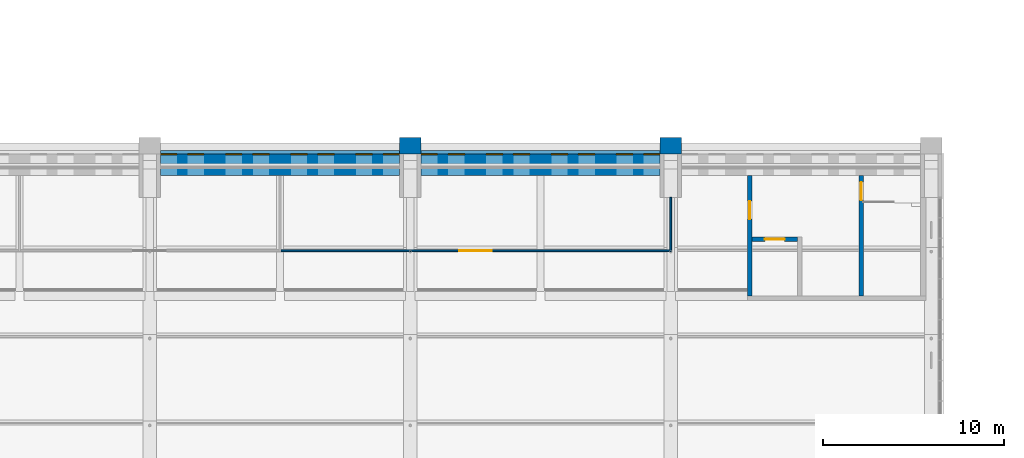
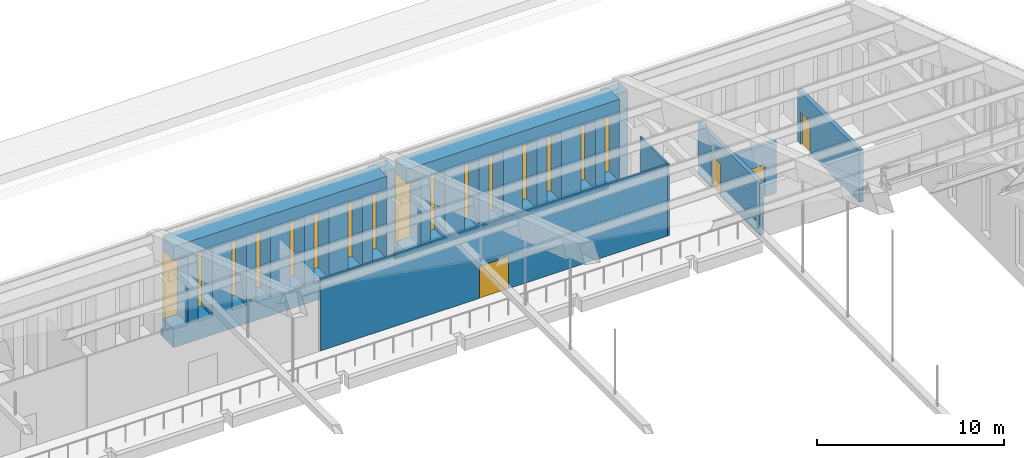
# One storey, part 134 of 149: 16 windows, 11 walls, 4 doors, 20 openings.
"""IFC4 building model written with IfcOpenShell, lengths in metres."""

from ifc_helpers import new_model, si_unit, direction, frame, frame_2d, origin, place, context, subcontext, project, spatial, rectangle, extrude, material, layer, layer_set, type_object, element, fill, save


model = new_model("IFC4")

# Units and contexts
model_context = context("Model", 3, precision=1e-05, world=origin(), true_north=direction((0.0, 1.0)))
body_context = subcontext(model_context, "Body", "Model", "MODEL_VIEW")
ifc_project = project(units=[si_unit("LENGTHUNIT", "METRE"), si_unit("AREAUNIT", "SQUARE_METRE"), si_unit("VOLUMEUNIT", "CUBIC_METRE"), si_unit("PLANEANGLEUNIT", "RADIAN"), si_unit("MASSUNIT", "GRAM", prefix="KILO")], contexts=[model_context])

# Site, building, storey
site_placement = place(None, origin())
site = spatial("IfcSite", under=ifc_project, at=site_placement, CompositionType="ELEMENT")
building_placement = place(site_placement, origin())
building = spatial("IfcBuilding", under=site, at=building_placement, Name="Alderwick Market Hall", CompositionType="ELEMENT")
storey_placement = place(building_placement, frame((0.0, 0.0, 9.60009765625)))
storey = spatial("IfcBuildingStorey", under=building, at=storey_placement, Name="L01", CompositionType="ELEMENT", Elevation=9.60009765625)

# Walls
ifc_material_1 = material(Name="Face brick masonry, ASTM C216 grade SW (f'm 17 MPa)", Category="masonry")
ifc_layer_1 = layer(ifc_material_1, 0.89990234375)
ifc_layer_set_1 = layer_set([ifc_layer_1], Name="Face brick masonry, ASTM C216 grade SW (f'm 17 MPa)")
wall_type_1 = type_object("IfcWallType", Name="H Buttress pier 900", PredefinedType="SOLIDWALL", material=ifc_layer_set_1)
for number, where, z_axis, x_axis, name in (
    (1, (121.800048828125, 109.050048828125, 0.0), (0.0, 0.0, 1.0), (1.0, 0.0, 0.0), "Buttress pier N6"),
    (2, (136.199951171875, 109.050048828125, 0.0), (0.0, 0.0, 1.0), (1.0, 0.0, 0.0), "Buttress pier N7"),
):
    element("IfcWall", number, at=place(storey_placement, frame(where, z_axis=z_axis, x_axis=x_axis)), inside=storey, type_object=wall_type_1, Name=name, PredefinedType="SOLIDWALL", context=body_context, shape_type="SweptSolid", body=[
        extrude(rectangle(XDim=1.199951171875, YDim=0.89990234375, at=frame_2d((0.60009765625, 0.0))), origin(), (0.0, 0.0, 1.0), 6.0),
    ])

# Wall, opening, door
ifc_material_2 = material(Name="Concrete 5000 psi (f'c 35 MPa)", Category="concrete")
ifc_layer_2 = layer(ifc_material_2, 0.25)
ifc_layer_set_2 = layer_set([ifc_layer_2], Name="Concrete 5000 psi (f'c 35 MPa)")
wall_type_2 = type_object("IfcWallType", Name="H Core wall 250", PredefinedType="SOLIDWALL", material=ifc_layer_set_2)
wall_1_placement = place(storey_placement, frame((141.175048828125, 100.760009765625, 0.0), z_axis=(0.0, 0.0, 1.0), x_axis=(0.0, 1.0, 0.0)))
wall_1 = element("IfcWall", 3, at=wall_1_placement, inside=storey, type_object=wall_type_2, Name="Core wall H-NE", PredefinedType="SOLIDWALL", context=body_context, shape_type="SweptSolid", body=[
    extrude(rectangle(XDim=6.639892578125, YDim=0.25, at=frame_2d((3.31982421875, 0.0))), origin(), (0.0, 0.0, 1.0), 3.39990234375),
])
opening_1_placement = place(wall_1_placement, frame((4.239990234375, 0.0, 0.0)))
opening_1 = element("IfcOpeningElement", 4, at=opening_1_placement, cuts=wall_1, Name="Opening H-D053", PredefinedType="OPENING", context=body_context, shape_type="SweptSolid", body=[
    extrude(rectangle(XDim=1.0, YDim=2.10009765625, at=frame_2d((0.5, 1.050048828125))), frame((0.0, 0.135009765625, 0.0), z_axis=(0.0, -1.0, 0.0), x_axis=(1.0, 0.0, 0.0)), (0.0, 0.0, 1.0), 0.27001953125),
])
ifc_material_3 = material(Name="Steel, fire-rated", Category="steel")
door_type_1 = type_object("IfcDoorType", Name="H Stair door FD90 1000x2100", OperationType="SINGLE_SWING_LEFT", PredefinedType="DOOR", material=ifc_material_3)
door_1_placement = place(opening_1_placement, origin())
door_1 = element("IfcDoor", 5, at=door_1_placement, inside=storey, type_object=door_type_1, Name="Door H-D053", OperationType="SINGLE_SWING_LEFT", OverallHeight=2.10009765625, OverallWidth=1.0, PredefinedType="DOOR", context=body_context, shape_type="SweptSolid", body=[
    extrude(rectangle(XDim=1.0, YDim=2.10009765625, at=frame_2d((0.5, 1.050048828125))), frame((0.0, 0.02490234375, 0.0), z_axis=(0.0, -1.0, 0.0), x_axis=(1.0, 0.0, 0.0)), (0.0, 0.0, 1.0), 0.050048828125),
])
fill(opening_1, door_1)

wall_2_placement = place(storey_placement, frame((147.324951171875, 100.760009765625, 0.0), z_axis=(0.0, 0.0, 1.0), x_axis=(0.0, 1.0, 0.0)))
wall_2 = element("IfcWall", 6, at=wall_2_placement, inside=storey, type_object=wall_type_2, Name="Core wall H-NE", PredefinedType="SOLIDWALL", context=body_context, shape_type="SweptSolid", body=[
    extrude(rectangle(XDim=6.639892578125, YDim=0.25, at=frame_2d((3.31982421875, 0.0))), origin(), (0.0, 0.0, 1.0), 3.39990234375),
])
opening_2_placement = place(wall_2_placement, frame((5.2900390625, 0.0, 0.0)))
opening_2 = element("IfcOpeningElement", 7, at=opening_2_placement, cuts=wall_2, Name="Opening H-D052", PredefinedType="OPENING", context=body_context, shape_type="SweptSolid", body=[
    extrude(rectangle(XDim=1.0, YDim=2.10009765625, at=frame_2d((0.5, 1.050048828125))), frame((0.0, 0.135009765625, 0.0), z_axis=(0.0, -1.0, 0.0), x_axis=(1.0, 0.0, 0.0)), (0.0, 0.0, 1.0), 0.27001953125),
])
door_2_placement = place(opening_2_placement, origin())
door_2 = element("IfcDoor", 8, at=door_2_placement, inside=storey, type_object=door_type_1, Name="Door H-D052", OperationType="SINGLE_SWING_LEFT", OverallHeight=2.10009765625, OverallWidth=1.0, PredefinedType="DOOR", context=body_context, shape_type="SweptSolid", body=[
    extrude(rectangle(XDim=1.0, YDim=2.10009765625, at=frame_2d((0.5, 1.050048828125))), frame((0.0, 0.02490234375, 0.0), z_axis=(0.0, -1.0, 0.0), x_axis=(1.0, 0.0, 0.0)), (0.0, 0.0, 1.0), 0.050048828125),
])
fill(opening_2, door_2)

wall_3_placement = place(storey_placement, frame((141.300048828125, 103.885009765625, 0.0), z_axis=(0.0, 0.0, 1.0), x_axis=(1.0, 0.0, 0.0)))
wall_3 = element("IfcWall", 9, at=wall_3_placement, inside=storey, type_object=wall_type_2, Name="Core wall H-NE", PredefinedType="SOLIDWALL", context=body_context, shape_type="SweptSolid", body=[
    extrude(rectangle(XDim=2.5, YDim=0.25, at=frame_2d((1.25, 0.0))), origin(), (0.0, 0.0, 1.0), 3.39990234375),
])
opening_3_placement = place(wall_3_placement, frame((0.699951171875, 0.0, 0.0)))
opening_3 = element("IfcOpeningElement", 10, at=opening_3_placement, cuts=wall_3, Name="Opening H-LD06", PredefinedType="OPENING", context=body_context, shape_type="SweptSolid", body=[
    extrude(rectangle(XDim=1.10009765625, YDim=2.10009765625, at=frame_2d((0.550048828125, 1.050048828125))), frame((0.0, 0.135009765625, 0.0), z_axis=(0.0, -1.0, 0.0), x_axis=(1.0, 0.0, 0.0)), (0.0, 0.0, 1.0), 0.27001953125),
])
ifc_material_4 = material(Name="Stainless steel", Category="steel")
door_type_2 = type_object("IfcDoorType", Name="H Lift landing door 1100x2100", OperationType="SLIDING_TO_LEFT", PredefinedType="DOOR", material=ifc_material_4)
door_3_placement = place(opening_3_placement, origin())
door_3 = element("IfcDoor", 11, at=door_3_placement, inside=storey, type_object=door_type_2, Name="Landing door H-LD06", OperationType="SLIDING_TO_LEFT", OverallHeight=2.10009765625, OverallWidth=1.10009765625, PredefinedType="DOOR", context=body_context, shape_type="SweptSolid", body=[
    extrude(rectangle(XDim=1.10009765625, YDim=2.10009765625, at=frame_2d((0.550048828125, 1.050048828125))), frame((0.0, 0.02490234375, 0.0), z_axis=(0.0, -1.0, 0.0), x_axis=(1.0, 0.0, 0.0)), (0.0, 0.0, 1.0), 0.050048828125),
])
fill(opening_3, door_3)

# Wall, openings, windows
ifc_layer_3 = layer(ifc_material_2, 1.199951171875)
ifc_layer_set_3 = layer_set([ifc_layer_3], Name="Concrete 5000 psi (f'c 35 MPa)")
wall_type_3 = type_object("IfcWallType", Name="H Long wall 1200", PredefinedType="SOLIDWALL", material=ifc_layer_set_3)
wall_4_placement = place(storey_placement, frame((108.60009765625, 108.0, 0.0), z_axis=(0.0, 0.0, 1.0), x_axis=(1.0, 0.0, 0.0)))
wall_4 = element("IfcWall", 12, at=wall_4_placement, inside=storey, type_object=wall_type_3, Name="Long wall N L01 5", PredefinedType="SOLIDWALL", context=body_context, shape_type="SweptSolid", body=[
    extrude(rectangle(XDim=13.199951171875, YDim=1.199951171875, at=frame_2d((6.60009765625, 0.0))), origin(), (0.0, 0.0, 1.0), 6.599853515625),
])
opening_4_placement = place(wall_4_placement, frame((0.0, 0.0, 1.199951171875)))
opening_4 = element("IfcOpeningElement", 13, at=opening_4_placement, cuts=wall_4, Name="Opening H-W193", PredefinedType="OPENING", context=body_context, shape_type="SweptSolid", body=[
    extrude(rectangle(XDim=0.89990234375, YDim=4.5, at=frame_2d((0.449951171875, 2.25))), frame((0.0, 0.60986328125, 0.0), z_axis=(0.0, -1.0, 0.0), x_axis=(1.0, 0.0, 0.0)), (0.0, 0.0, 1.0), 1.219970703125),
])
opening_5_placement = place(wall_4_placement, frame((1.5, 0.0, 1.199951171875)))
opening_5 = element("IfcOpeningElement", 14, at=opening_5_placement, cuts=wall_4, Name="Opening H-W194", PredefinedType="OPENING", context=body_context, shape_type="SweptSolid", body=[
    extrude(rectangle(XDim=0.89990234375, YDim=4.5, at=frame_2d((0.449951171875, 2.25))), frame((0.0, 0.60986328125, 0.0), z_axis=(0.0, -1.0, 0.0), x_axis=(1.0, 0.0, 0.0)), (0.0, 0.0, 1.0), 1.219970703125),
])
opening_6_placement = place(wall_4_placement, frame((3.60009765625, 0.0, 1.199951171875)))
opening_6 = element("IfcOpeningElement", 15, at=opening_6_placement, cuts=wall_4, Name="Opening H-W195", PredefinedType="OPENING", context=body_context, shape_type="SweptSolid", body=[
    extrude(rectangle(XDim=0.89990234375, YDim=4.5, at=frame_2d((0.449951171875, 2.25))), frame((0.0, 0.60986328125, 0.0), z_axis=(0.0, -1.0, 0.0), x_axis=(1.0, 0.0, 0.0)), (0.0, 0.0, 1.0), 1.219970703125),
])
opening_7_placement = place(wall_4_placement, frame((5.10009765625, 0.0, 1.199951171875)))
opening_7 = element("IfcOpeningElement", 16, at=opening_7_placement, cuts=wall_4, Name="Opening H-W196", PredefinedType="OPENING", context=body_context, shape_type="SweptSolid", body=[
    extrude(rectangle(XDim=0.89990234375, YDim=4.5, at=frame_2d((0.449951171875, 2.25))), frame((0.0, 0.60986328125, 0.0), z_axis=(0.0, -1.0, 0.0), x_axis=(1.0, 0.0, 0.0)), (0.0, 0.0, 1.0), 1.219970703125),
])
opening_8_placement = place(wall_4_placement, frame((7.199951171875, 0.0, 1.199951171875)))
opening_8 = element("IfcOpeningElement", 17, at=opening_8_placement, cuts=wall_4, Name="Opening H-W197", PredefinedType="OPENING", context=body_context, shape_type="SweptSolid", body=[
    extrude(rectangle(XDim=0.89990234375, YDim=4.5, at=frame_2d((0.449951171875, 2.25))), frame((0.0, 0.60986328125, 0.0), z_axis=(0.0, -1.0, 0.0), x_axis=(1.0, 0.0, 0.0)), (0.0, 0.0, 1.0), 1.219970703125),
])
opening_9_placement = place(wall_4_placement, frame((8.699951171875, 0.0, 1.199951171875)))
opening_9 = element("IfcOpeningElement", 18, at=opening_9_placement, cuts=wall_4, Name="Opening H-W198", PredefinedType="OPENING", context=body_context, shape_type="SweptSolid", body=[
    extrude(rectangle(XDim=0.89990234375, YDim=4.5, at=frame_2d((0.449951171875, 2.25))), frame((0.0, 0.60986328125, 0.0), z_axis=(0.0, -1.0, 0.0), x_axis=(1.0, 0.0, 0.0)), (0.0, 0.0, 1.0), 1.219970703125),
])
opening_10_placement = place(wall_4_placement, frame((10.800048828125, 0.0, 1.199951171875)))
opening_10 = element("IfcOpeningElement", 19, at=opening_10_placement, cuts=wall_4, Name="Opening H-W199", PredefinedType="OPENING", context=body_context, shape_type="SweptSolid", body=[
    extrude(rectangle(XDim=0.89990234375, YDim=4.5, at=frame_2d((0.449951171875, 2.25))), frame((0.0, 0.60986328125, 0.0), z_axis=(0.0, -1.0, 0.0), x_axis=(1.0, 0.0, 0.0)), (0.0, 0.0, 1.0), 1.219970703125),
])
opening_11_placement = place(wall_4_placement, frame((12.300048828125, 0.0, 1.199951171875)))
opening_11 = element("IfcOpeningElement", 20, at=opening_11_placement, cuts=wall_4, Name="Opening H-W200", PredefinedType="OPENING", context=body_context, shape_type="SweptSolid", body=[
    extrude(rectangle(XDim=0.89990234375, YDim=4.5, at=frame_2d((0.449951171875, 2.25))), frame((0.0, 0.60986328125, 0.0), z_axis=(0.0, -1.0, 0.0), x_axis=(1.0, 0.0, 0.0)), (0.0, 0.0, 1.0), 1.219970703125),
])
ifc_material_5 = material(Name="Aluminium frame with insulated glass", Category="aluminium")
window_type = type_object("IfcWindowType", Name="H Window 900x4500", PartitioningType="SINGLE_PANEL", PredefinedType="WINDOW", material=ifc_material_5)
window_1_placement = place(opening_4_placement, origin())
window_1 = element("IfcWindow", 21, at=window_1_placement, inside=storey, type_object=window_type, Name="Window H-W193", OverallHeight=4.5, OverallWidth=0.89990234375, PartitioningType="SINGLE_PANEL", PredefinedType="WINDOW", context=body_context, shape_type="SweptSolid", body=[
    extrude(rectangle(XDim=0.89990234375, YDim=4.5, at=frame_2d((0.449951171875, 2.25))), frame((0.0, 0.610107421875, 0.0), z_axis=(0.0, -1.0, 0.0), x_axis=(1.0, 0.0, 0.0)), (0.0, 0.0, 1.0), 0.06005859375),
])
fill(opening_4, window_1)
window_2_placement = place(opening_5_placement, origin())
window_2 = element("IfcWindow", 22, at=window_2_placement, inside=storey, type_object=window_type, Name="Window H-W194", OverallHeight=4.5, OverallWidth=0.89990234375, PartitioningType="SINGLE_PANEL", PredefinedType="WINDOW", context=body_context, shape_type="SweptSolid", body=[
    extrude(rectangle(XDim=0.89990234375, YDim=4.5, at=frame_2d((0.449951171875, 2.25))), frame((0.0, 0.610107421875, 0.0), z_axis=(0.0, -1.0, 0.0), x_axis=(1.0, 0.0, 0.0)), (0.0, 0.0, 1.0), 0.06005859375),
])
fill(opening_5, window_2)
window_3_placement = place(opening_6_placement, origin())
window_3 = element("IfcWindow", 23, at=window_3_placement, inside=storey, type_object=window_type, Name="Window H-W195", OverallHeight=4.5, OverallWidth=0.89990234375, PartitioningType="SINGLE_PANEL", PredefinedType="WINDOW", context=body_context, shape_type="SweptSolid", body=[
    extrude(rectangle(XDim=0.89990234375, YDim=4.5, at=frame_2d((0.449951171875, 2.25))), frame((0.0, 0.610107421875, 0.0), z_axis=(0.0, -1.0, 0.0), x_axis=(1.0, 0.0, 0.0)), (0.0, 0.0, 1.0), 0.06005859375),
])
fill(opening_6, window_3)
window_4_placement = place(opening_7_placement, origin())
window_4 = element("IfcWindow", 24, at=window_4_placement, inside=storey, type_object=window_type, Name="Window H-W196", OverallHeight=4.5, OverallWidth=0.89990234375, PartitioningType="SINGLE_PANEL", PredefinedType="WINDOW", context=body_context, shape_type="SweptSolid", body=[
    extrude(rectangle(XDim=0.89990234375, YDim=4.5, at=frame_2d((0.449951171875, 2.25))), frame((0.0, 0.610107421875, 0.0), z_axis=(0.0, -1.0, 0.0), x_axis=(1.0, 0.0, 0.0)), (0.0, 0.0, 1.0), 0.06005859375),
])
fill(opening_7, window_4)
window_5_placement = place(opening_8_placement, origin())
window_5 = element("IfcWindow", 25, at=window_5_placement, inside=storey, type_object=window_type, Name="Window H-W197", OverallHeight=4.5, OverallWidth=0.89990234375, PartitioningType="SINGLE_PANEL", PredefinedType="WINDOW", context=body_context, shape_type="SweptSolid", body=[
    extrude(rectangle(XDim=0.89990234375, YDim=4.5, at=frame_2d((0.449951171875, 2.25))), frame((0.0, 0.610107421875, 0.0), z_axis=(0.0, -1.0, 0.0), x_axis=(1.0, 0.0, 0.0)), (0.0, 0.0, 1.0), 0.06005859375),
])
fill(opening_8, window_5)
window_6_placement = place(opening_9_placement, origin())
window_6 = element("IfcWindow", 26, at=window_6_placement, inside=storey, type_object=window_type, Name="Window H-W198", OverallHeight=4.5, OverallWidth=0.89990234375, PartitioningType="SINGLE_PANEL", PredefinedType="WINDOW", context=body_context, shape_type="SweptSolid", body=[
    extrude(rectangle(XDim=0.89990234375, YDim=4.5, at=frame_2d((0.449951171875, 2.25))), frame((0.0, 0.610107421875, 0.0), z_axis=(0.0, -1.0, 0.0), x_axis=(1.0, 0.0, 0.0)), (0.0, 0.0, 1.0), 0.06005859375),
])
fill(opening_9, window_6)
window_7_placement = place(opening_10_placement, origin())
window_7 = element("IfcWindow", 27, at=window_7_placement, inside=storey, type_object=window_type, Name="Window H-W199", OverallHeight=4.5, OverallWidth=0.89990234375, PartitioningType="SINGLE_PANEL", PredefinedType="WINDOW", context=body_context, shape_type="SweptSolid", body=[
    extrude(rectangle(XDim=0.89990234375, YDim=4.5, at=frame_2d((0.449951171875, 2.25))), frame((0.0, 0.610107421875, 0.0), z_axis=(0.0, -1.0, 0.0), x_axis=(1.0, 0.0, 0.0)), (0.0, 0.0, 1.0), 0.06005859375),
])
fill(opening_10, window_7)
window_8_placement = place(opening_11_placement, origin())
window_8 = element("IfcWindow", 28, at=window_8_placement, inside=storey, type_object=window_type, Name="Window H-W200", OverallHeight=4.5, OverallWidth=0.89990234375, PartitioningType="SINGLE_PANEL", PredefinedType="WINDOW", context=body_context, shape_type="SweptSolid", body=[
    extrude(rectangle(XDim=0.89990234375, YDim=4.5, at=frame_2d((0.449951171875, 2.25))), frame((0.0, 0.610107421875, 0.0), z_axis=(0.0, -1.0, 0.0), x_axis=(1.0, 0.0, 0.0)), (0.0, 0.0, 1.0), 0.06005859375),
])
fill(opening_11, window_8)

wall_5_placement = place(storey_placement, frame((123.0, 108.0, 0.0), z_axis=(0.0, 0.0, 1.0), x_axis=(1.0, 0.0, 0.0)))
wall_5 = element("IfcWall", 29, at=wall_5_placement, inside=storey, type_object=wall_type_3, Name="Long wall N L01 6", PredefinedType="SOLIDWALL", context=body_context, shape_type="SweptSolid", body=[
    extrude(rectangle(XDim=13.199951171875, YDim=1.199951171875, at=frame_2d((6.60009765625, 0.0))), origin(), (0.0, 0.0, 1.0), 6.599853515625),
])
opening_12_placement = place(wall_5_placement, frame((0.0, 0.0, 1.199951171875)))
opening_12 = element("IfcOpeningElement", 30, at=opening_12_placement, cuts=wall_5, Name="Opening H-W201", PredefinedType="OPENING", context=body_context, shape_type="SweptSolid", body=[
    extrude(rectangle(XDim=0.89990234375, YDim=4.5, at=frame_2d((0.449951171875, 2.25))), frame((0.0, 0.60986328125, 0.0), z_axis=(0.0, -1.0, 0.0), x_axis=(1.0, 0.0, 0.0)), (0.0, 0.0, 1.0), 1.219970703125),
])
opening_13_placement = place(wall_5_placement, frame((1.5, 0.0, 1.199951171875)))
opening_13 = element("IfcOpeningElement", 31, at=opening_13_placement, cuts=wall_5, Name="Opening H-W202", PredefinedType="OPENING", context=body_context, shape_type="SweptSolid", body=[
    extrude(rectangle(XDim=0.89990234375, YDim=4.5, at=frame_2d((0.449951171875, 2.25))), frame((0.0, 0.60986328125, 0.0), z_axis=(0.0, -1.0, 0.0), x_axis=(1.0, 0.0, 0.0)), (0.0, 0.0, 1.0), 1.219970703125),
])
opening_14_placement = place(wall_5_placement, frame((3.60009765625, 0.0, 1.199951171875)))
opening_14 = element("IfcOpeningElement", 32, at=opening_14_placement, cuts=wall_5, Name="Opening H-W203", PredefinedType="OPENING", context=body_context, shape_type="SweptSolid", body=[
    extrude(rectangle(XDim=0.89990234375, YDim=4.5, at=frame_2d((0.449951171875, 2.25))), frame((0.0, 0.60986328125, 0.0), z_axis=(0.0, -1.0, 0.0), x_axis=(1.0, 0.0, 0.0)), (0.0, 0.0, 1.0), 1.219970703125),
])
opening_15_placement = place(wall_5_placement, frame((5.10009765625, 0.0, 1.199951171875)))
opening_15 = element("IfcOpeningElement", 33, at=opening_15_placement, cuts=wall_5, Name="Opening H-W204", PredefinedType="OPENING", context=body_context, shape_type="SweptSolid", body=[
    extrude(rectangle(XDim=0.89990234375, YDim=4.5, at=frame_2d((0.449951171875, 2.25))), frame((0.0, 0.60986328125, 0.0), z_axis=(0.0, -1.0, 0.0), x_axis=(1.0, 0.0, 0.0)), (0.0, 0.0, 1.0), 1.219970703125),
])
opening_16_placement = place(wall_5_placement, frame((7.199951171875, 0.0, 1.199951171875)))
opening_16 = element("IfcOpeningElement", 34, at=opening_16_placement, cuts=wall_5, Name="Opening H-W205", PredefinedType="OPENING", context=body_context, shape_type="SweptSolid", body=[
    extrude(rectangle(XDim=0.89990234375, YDim=4.5, at=frame_2d((0.449951171875, 2.25))), frame((0.0, 0.60986328125, 0.0), z_axis=(0.0, -1.0, 0.0), x_axis=(1.0, 0.0, 0.0)), (0.0, 0.0, 1.0), 1.219970703125),
])
opening_17_placement = place(wall_5_placement, frame((8.699951171875, 0.0, 1.199951171875)))
opening_17 = element("IfcOpeningElement", 35, at=opening_17_placement, cuts=wall_5, Name="Opening H-W206", PredefinedType="OPENING", context=body_context, shape_type="SweptSolid", body=[
    extrude(rectangle(XDim=0.89990234375, YDim=4.5, at=frame_2d((0.449951171875, 2.25))), frame((0.0, 0.60986328125, 0.0), z_axis=(0.0, -1.0, 0.0), x_axis=(1.0, 0.0, 0.0)), (0.0, 0.0, 1.0), 1.219970703125),
])
opening_18_placement = place(wall_5_placement, frame((10.800048828125, 0.0, 1.199951171875)))
opening_18 = element("IfcOpeningElement", 36, at=opening_18_placement, cuts=wall_5, Name="Opening H-W207", PredefinedType="OPENING", context=body_context, shape_type="SweptSolid", body=[
    extrude(rectangle(XDim=0.89990234375, YDim=4.5, at=frame_2d((0.449951171875, 2.25))), frame((0.0, 0.60986328125, 0.0), z_axis=(0.0, -1.0, 0.0), x_axis=(1.0, 0.0, 0.0)), (0.0, 0.0, 1.0), 1.219970703125),
])
opening_19_placement = place(wall_5_placement, frame((12.300048828125, 0.0, 1.199951171875)))
opening_19 = element("IfcOpeningElement", 37, at=opening_19_placement, cuts=wall_5, Name="Opening H-W208", PredefinedType="OPENING", context=body_context, shape_type="SweptSolid", body=[
    extrude(rectangle(XDim=0.89990234375, YDim=4.5, at=frame_2d((0.449951171875, 2.25))), frame((0.0, 0.60986328125, 0.0), z_axis=(0.0, -1.0, 0.0), x_axis=(1.0, 0.0, 0.0)), (0.0, 0.0, 1.0), 1.219970703125),
])
window_9_placement = place(opening_12_placement, origin())
window_9 = element("IfcWindow", 38, at=window_9_placement, inside=storey, type_object=window_type, Name="Window H-W201", OverallHeight=4.5, OverallWidth=0.89990234375, PartitioningType="SINGLE_PANEL", PredefinedType="WINDOW", context=body_context, shape_type="SweptSolid", body=[
    extrude(rectangle(XDim=0.89990234375, YDim=4.5, at=frame_2d((0.449951171875, 2.25))), frame((0.0, 0.610107421875, 0.0), z_axis=(0.0, -1.0, 0.0), x_axis=(1.0, 0.0, 0.0)), (0.0, 0.0, 1.0), 0.06005859375),
])
fill(opening_12, window_9)
window_10_placement = place(opening_13_placement, origin())
window_10 = element("IfcWindow", 39, at=window_10_placement, inside=storey, type_object=window_type, Name="Window H-W202", OverallHeight=4.5, OverallWidth=0.89990234375, PartitioningType="SINGLE_PANEL", PredefinedType="WINDOW", context=body_context, shape_type="SweptSolid", body=[
    extrude(rectangle(XDim=0.89990234375, YDim=4.5, at=frame_2d((0.449951171875, 2.25))), frame((0.0, 0.610107421875, 0.0), z_axis=(0.0, -1.0, 0.0), x_axis=(1.0, 0.0, 0.0)), (0.0, 0.0, 1.0), 0.06005859375),
])
fill(opening_13, window_10)
window_11_placement = place(opening_14_placement, origin())
window_11 = element("IfcWindow", 40, at=window_11_placement, inside=storey, type_object=window_type, Name="Window H-W203", OverallHeight=4.5, OverallWidth=0.89990234375, PartitioningType="SINGLE_PANEL", PredefinedType="WINDOW", context=body_context, shape_type="SweptSolid", body=[
    extrude(rectangle(XDim=0.89990234375, YDim=4.5, at=frame_2d((0.449951171875, 2.25))), frame((0.0, 0.610107421875, 0.0), z_axis=(0.0, -1.0, 0.0), x_axis=(1.0, 0.0, 0.0)), (0.0, 0.0, 1.0), 0.06005859375),
])
fill(opening_14, window_11)
window_12_placement = place(opening_15_placement, origin())
window_12 = element("IfcWindow", 41, at=window_12_placement, inside=storey, type_object=window_type, Name="Window H-W204", OverallHeight=4.5, OverallWidth=0.89990234375, PartitioningType="SINGLE_PANEL", PredefinedType="WINDOW", context=body_context, shape_type="SweptSolid", body=[
    extrude(rectangle(XDim=0.89990234375, YDim=4.5, at=frame_2d((0.449951171875, 2.25))), frame((0.0, 0.610107421875, 0.0), z_axis=(0.0, -1.0, 0.0), x_axis=(1.0, 0.0, 0.0)), (0.0, 0.0, 1.0), 0.06005859375),
])
fill(opening_15, window_12)
window_13_placement = place(opening_16_placement, origin())
window_13 = element("IfcWindow", 42, at=window_13_placement, inside=storey, type_object=window_type, Name="Window H-W205", OverallHeight=4.5, OverallWidth=0.89990234375, PartitioningType="SINGLE_PANEL", PredefinedType="WINDOW", context=body_context, shape_type="SweptSolid", body=[
    extrude(rectangle(XDim=0.89990234375, YDim=4.5, at=frame_2d((0.449951171875, 2.25))), frame((0.0, 0.610107421875, 0.0), z_axis=(0.0, -1.0, 0.0), x_axis=(1.0, 0.0, 0.0)), (0.0, 0.0, 1.0), 0.06005859375),
])
fill(opening_16, window_13)
window_14_placement = place(opening_17_placement, origin())
window_14 = element("IfcWindow", 43, at=window_14_placement, inside=storey, type_object=window_type, Name="Window H-W206", OverallHeight=4.5, OverallWidth=0.89990234375, PartitioningType="SINGLE_PANEL", PredefinedType="WINDOW", context=body_context, shape_type="SweptSolid", body=[
    extrude(rectangle(XDim=0.89990234375, YDim=4.5, at=frame_2d((0.449951171875, 2.25))), frame((0.0, 0.610107421875, 0.0), z_axis=(0.0, -1.0, 0.0), x_axis=(1.0, 0.0, 0.0)), (0.0, 0.0, 1.0), 0.06005859375),
])
fill(opening_17, window_14)
window_15_placement = place(opening_18_placement, origin())
window_15 = element("IfcWindow", 44, at=window_15_placement, inside=storey, type_object=window_type, Name="Window H-W207", OverallHeight=4.5, OverallWidth=0.89990234375, PartitioningType="SINGLE_PANEL", PredefinedType="WINDOW", context=body_context, shape_type="SweptSolid", body=[
    extrude(rectangle(XDim=0.89990234375, YDim=4.5, at=frame_2d((0.449951171875, 2.25))), frame((0.0, 0.610107421875, 0.0), z_axis=(0.0, -1.0, 0.0), x_axis=(1.0, 0.0, 0.0)), (0.0, 0.0, 1.0), 0.06005859375),
])
fill(opening_18, window_15)
window_16_placement = place(opening_19_placement, origin())
window_16 = element("IfcWindow", 45, at=window_16_placement, inside=storey, type_object=window_type, Name="Window H-W208", OverallHeight=4.5, OverallWidth=0.89990234375, PartitioningType="SINGLE_PANEL", PredefinedType="WINDOW", context=body_context, shape_type="SweptSolid", body=[
    extrude(rectangle(XDim=0.89990234375, YDim=4.5, at=frame_2d((0.449951171875, 2.25))), frame((0.0, 0.610107421875, 0.0), z_axis=(0.0, -1.0, 0.0), x_axis=(1.0, 0.0, 0.0)), (0.0, 0.0, 1.0), 0.06005859375),
])
fill(opening_19, window_16)

# Wall
ifc_material_6 = material(Name="Gypsum board partition")
ifc_layer_4 = layer(ifc_material_6, 0.10009765625)
ifc_layer_set_4 = layer_set([ifc_layer_4], Name="Gypsum board partition")
wall_type_4 = type_object("IfcWallType", Name="H Partition 100", PredefinedType="PARTITIONING", material=ifc_layer_set_4)
wall_6_placement = place(storey_placement, frame((136.800048828125, 106.199951171875, 0.0), z_axis=(0.0, 0.0, 1.0), x_axis=(0.0, -1.0, 0.0)))
element("IfcWall", 46, at=wall_6_placement, inside=storey, type_object=wall_type_4, Name="Partition", PredefinedType="PARTITIONING", context=body_context, shape_type="SweptSolid", body=[
    extrude(rectangle(XDim=3.0, YDim=0.10009765625, at=frame_2d((1.5, 0.0))), origin(), (0.0, 0.0, 1.0), 4.699951171875),
])

# Wall, opening, door
wall_7_placement = place(storey_placement, frame((115.25, 103.25, 0.0), z_axis=(0.0, 0.0, 1.0), x_axis=(1.0, 0.0, 0.0)))
wall_7 = element("IfcWall", 47, at=wall_7_placement, inside=storey, type_object=wall_type_4, Name="Partition", PredefinedType="PARTITIONING", context=body_context, shape_type="SweptSolid", body=[
    extrude(rectangle(XDim=21.5, YDim=0.10009765625, at=frame_2d((10.75, 0.0))), origin(), (0.0, 0.0, 1.0), 4.699951171875),
])
opening_20_placement = place(wall_7_placement, frame((9.85009765625, 0.0, 0.0)))
opening_20 = element("IfcOpeningElement", 48, at=opening_20_placement, cuts=wall_7, Name="Opening H-D093", PredefinedType="OPENING", context=body_context, shape_type="SweptSolid", body=[
    extrude(rectangle(XDim=1.800048828125, YDim=2.10009765625, at=frame_2d((0.89990234375, 1.050048828125))), frame((0.0, 0.06005859375, 0.0), z_axis=(0.0, -1.0, 0.0), x_axis=(1.0, 0.0, 0.0)), (0.0, 0.0, 1.0), 0.1201171875),
])
ifc_material_7 = material(Name="Timber and glass", Category="wood")
door_type_3 = type_object("IfcDoorType", Name="H Double door 1800x2100", OperationType="DOUBLE_DOOR_SINGLE_SWING", PredefinedType="DOOR", material=ifc_material_7)
door_4_placement = place(opening_20_placement, origin())
door_4 = element("IfcDoor", 49, at=door_4_placement, inside=storey, type_object=door_type_3, Name="Door H-D093", OperationType="DOUBLE_DOOR_SINGLE_SWING", OverallHeight=2.10009765625, OverallWidth=1.800048828125, PredefinedType="DOOR", context=body_context, shape_type="SweptSolid", body=[
    extrude(rectangle(XDim=1.800048828125, YDim=2.10009765625, at=frame_2d((0.89990234375, 1.050048828125))), frame((0.0, 0.02490234375, 0.0), z_axis=(0.0, -1.0, 0.0), x_axis=(1.0, 0.0, 0.0)), (0.0, 0.0, 1.0), 0.050048828125),
])
fill(opening_20, door_4)

# Walls
ifc_material_8 = material(Name="Cast stone 5000 psi (f'c 35 MPa), ASTM C1364", Category="masonry")
ifc_layer_5 = layer(ifc_material_8, 0.199951171875)
ifc_layer_set_5 = layer_set([ifc_layer_5], Name="Cast stone 5000 psi (f'c 35 MPa), ASTM C1364")
wall_type_5 = type_object("IfcWallType", Name="H String course 200", PredefinedType="SOLIDWALL", material=ifc_layer_set_5)
for number, where, z_axis, x_axis, name in (
    (50, (108.60009765625, 108.699951171875, 0.0), (0.0, 0.0, 1.0), (1.0, 0.0, 0.0), "String course N5"),
    (51, (123.0, 108.699951171875, 0.0), (0.0, 0.0, 1.0), (1.0, 0.0, 0.0), "String course N6"),
):
    element("IfcWall", number, at=place(storey_placement, frame(where, z_axis=z_axis, x_axis=x_axis)), inside=storey, type_object=wall_type_5, Name=name, PredefinedType="SOLIDWALL", context=body_context, shape_type="SweptSolid", body=[
        extrude(rectangle(XDim=13.199951171875, YDim=0.199951171875, at=frame_2d((6.60009765625, 0.0))), origin(), (0.0, 0.0, 1.0), 0.39990234375),
    ])

save(model, "model.ifc")
